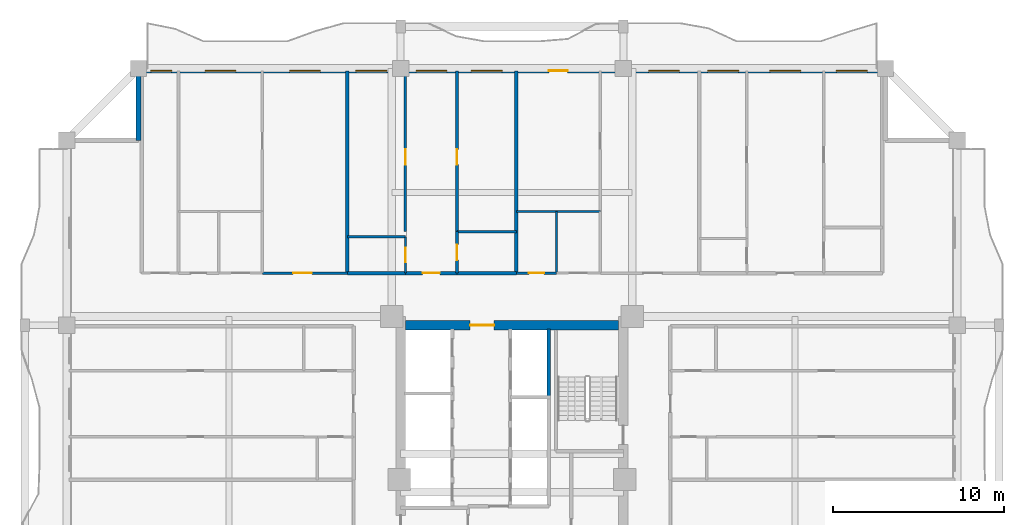
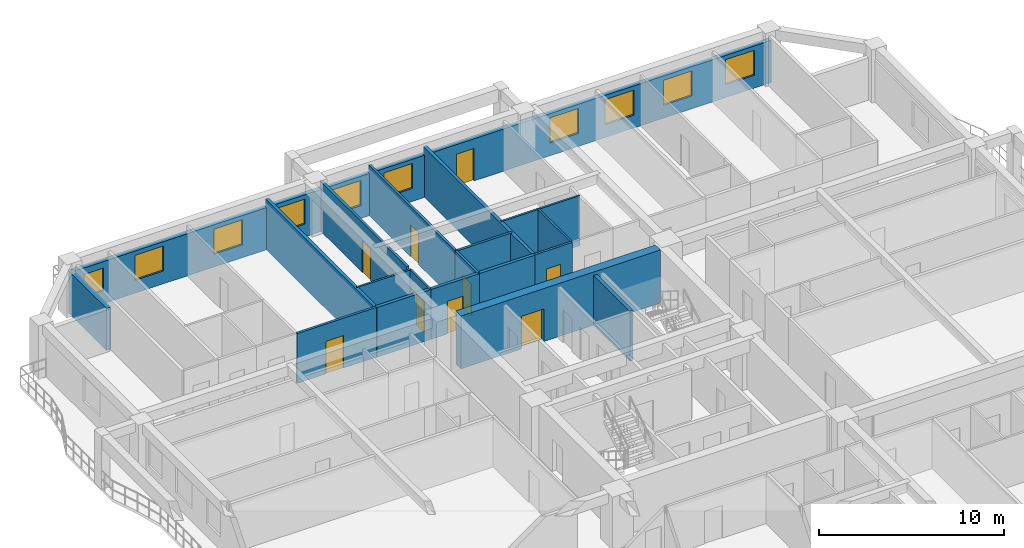
# One storey, part 6 of 17: 19 walls, 10 windows, 9 doors, 19 openings.
"""IFC4 building model written with IfcOpenShell, lengths in metres."""

import ifcopenshell
import ifcopenshell.guid

model = None  # the IFC model being written
_history = None  # IfcOwnerHistory: only IFC2X3 demands one
_inside = {}  # id of a spatial element -> (the spatial element, [elements in it])
_under = {}  # id of a project, library or spatial element -> (it, [spatial elements below it])
_declared = {}  # id of a project -> (the project, [libraries it declares])
_typed = {}  # id of a type object -> (the type object, [elements of that type])
_made_of = {}  # id of a material, layer set ... -> (it, [elements and type objects made of it])


def new_model(schema):
    """Start an empty IFC model of exactly this schema.

    Asked for "IFC4X3", IfcOpenShell would pick the latest addendum, in which some entities
    have other attributes; the version numbers below select the first issue.
    IFC2X3 requires an IfcOwnerHistory on every rooted entity: one is made here for all.
    """
    global model, _history
    if schema == "IFC4X3":
        model = ifcopenshell.file(schema_version=(4, 3, 0, 0))
    else:
        model = ifcopenshell.file(schema=schema)
    _inside.clear()
    _under.clear()
    _declared.clear()
    _typed.clear()
    _made_of.clear()
    _history = None
    if model.schema == "IFC2X3":
        org = make("IfcOrganization", Name="unknown")
        user = make(
            "IfcPersonAndOrganization",
            ThePerson=make("IfcPerson", FamilyName="unknown"),
            TheOrganization=org,
        )
        app = make(
            "IfcApplication",
            ApplicationDeveloper=org,
            Version="unknown",
            ApplicationFullName="unknown",
            ApplicationIdentifier="unknown",
        )
        _history = make(
            "IfcOwnerHistory",
            OwningUser=user,
            OwningApplication=app,
            ChangeAction="ADDED",
            CreationDate=0,
        )
    return model


def make(cls, **values):
    """One entity of the class cls with the attributes given. An attribute that is None is left unset."""
    return model.create_entity(
        cls, **{name: value for name, value in values.items() if value is not None}
    )


def rooted(cls, **values):
    """An entity with a GlobalId (a new one), such as an element, a storey or a relation."""
    return make(cls, GlobalId=ifcopenshell.guid.new(), OwnerHistory=_history, **values)


def si_unit(unit_type, name, prefix=None):
    """IfcSIUnit, for example si_unit("LENGTHUNIT", "METRE", prefix="MILLI")."""
    return make("IfcSIUnit", UnitType=unit_type, Prefix=prefix, Name=name)


def assignment(units):
    """IfcUnitAssignment: the units of a project."""
    return None if units is None else make("IfcUnitAssignment", Units=units)


def point(xyz):
    """IfcCartesianPoint."""
    return None if xyz is None else make("IfcCartesianPoint", Coordinates=xyz)


def direction(xyz):
    """IfcDirection."""
    return None if xyz is None else make("IfcDirection", DirectionRatios=xyz)


def frame(location, z_axis=None, x_axis=None):
    """IfcAxis2Placement3D, a coordinate frame: its origin and axes. An axis left out is left unset."""
    return make(
        "IfcAxis2Placement3D",
        Location=point(location),
        Axis=direction(z_axis),
        RefDirection=direction(x_axis),
    )


def frame_2d(location, x_axis=None):
    """IfcAxis2Placement2D, a coordinate frame in the plane: its origin and x axis."""
    return make(
        "IfcAxis2Placement2D", Location=point(location), RefDirection=direction(x_axis)
    )


def origin():
    """The frame at (0, 0, 0) with its axes left unset."""
    return frame((0.0, 0.0, 0.0))


def place(relative_to, where):
    """IfcLocalPlacement: puts the frame where relative to a parent placement (None: the world)."""
    return make(
        "IfcLocalPlacement", PlacementRelTo=relative_to, RelativePlacement=where
    )


def context(
    kind, dimensions, precision=None, world=None, true_north=None, identifier=None
):
    """IfcGeometricRepresentationContext, for example the 3D "Model" context."""
    return make(
        "IfcGeometricRepresentationContext",
        ContextIdentifier=identifier,
        ContextType=kind,
        CoordinateSpaceDimension=dimensions,
        Precision=precision,
        WorldCoordinateSystem=world,
        TrueNorth=true_north,
    )


def subcontext(parent, identifier, kind, view, scale=None):
    """IfcGeometricRepresentationSubContext, for example "Body" below "Model"."""
    return make(
        "IfcGeometricRepresentationSubContext",
        ContextIdentifier=identifier,
        ContextType=kind,
        ParentContext=parent,
        TargetScale=scale,
        TargetView=view,
    )


def project(units=None, contexts=None):
    """IfcProject with its units and contexts."""
    return rooted(
        "IfcProject",
        Name="project",
        RepresentationContexts=contexts,
        UnitsInContext=assignment(units),
    )


def spatial(cls, under=None, at=None, **own):
    """A site, building, storey or space (cls), placed at a placement, below another one or the project."""
    s = rooted(cls, ObjectPlacement=at, **own)
    if under is not None:
        _under.setdefault(under.id(), (under, []))[1].append(s)
    return s


def profile(cls, at=None, kind="AREA", **sizes):
    """A parametric profile (cls). Its sizes go by their IFC names, for example OverallWidth=200.0."""
    return make(cls, ProfileType=kind, Position=at, **sizes)


def rectangle(**sizes):
    """IfcRectangleProfileDef."""
    return profile("IfcRectangleProfileDef", **sizes)


def extrude(swept, where, along, depth):
    """IfcExtrudedAreaSolid: the profile swept, set in the frame where, extruded along a direction by depth."""
    return make(
        "IfcExtrudedAreaSolid",
        SweptArea=swept,
        Position=where,
        ExtrudedDirection=direction(along),
        Depth=depth,
    )


def shape(context_of_items, identifier, shape_type, items):
    """IfcShapeRepresentation: the items that make up one representation, for example the "Body"."""
    return make(
        "IfcShapeRepresentation",
        ContextOfItems=context_of_items,
        RepresentationIdentifier=identifier,
        RepresentationType=shape_type,
        Items=items,
    )


def source(mapping_origin, context_of_items, identifier, shape_type, items):
    """IfcRepresentationMap: a shape defined once, which mapped items show again and again."""
    return make(
        "IfcRepresentationMap",
        MappingOrigin=mapping_origin,
        MappedRepresentation=shape(context_of_items, identifier, shape_type, items),
    )


def transform(
    local_origin,
    x_axis=None,
    y_axis=None,
    z_axis=None,
    scale=None,
    scale2=None,
    scale3=None,
    uniform=True,
):
    """IfcCartesianTransformationOperator3D, or its non-uniform kind. x_axis, y_axis, z_axis: its Axis1, 2, 3."""
    if uniform:
        return make(
            "IfcCartesianTransformationOperator3D",
            Axis1=direction(x_axis),
            Axis2=direction(y_axis),
            LocalOrigin=point(local_origin),
            Scale=scale,
            Axis3=direction(z_axis),
        )
    return make(
        "IfcCartesianTransformationOperator3DnonUniform",
        Axis1=direction(x_axis),
        Axis2=direction(y_axis),
        LocalOrigin=point(local_origin),
        Scale=scale,
        Axis3=direction(z_axis),
        Scale2=scale2,
        Scale3=scale3,
    )


def mapped(mapping_source, mapping_target):
    """IfcMappedItem: shows the shape of a source again, moved by a transform."""
    return make(
        "IfcMappedItem", MappingSource=mapping_source, MappingTarget=mapping_target
    )


def material(Name=None, Category=None):
    """IfcMaterial."""
    return make("IfcMaterial", Name=Name, Category=Category)


def layer(
    of_material, thickness, ventilated=None, Name=None, Category=None, Priority=None
):
    """IfcMaterialLayer: one layer of a wall or slab, of a material (None: an air gap)."""
    return make(
        "IfcMaterialLayer",
        Material=of_material,
        LayerThickness=thickness,
        IsVentilated=ventilated,
        Name=Name,
        Category=Category,
        Priority=Priority,
    )


def layer_set(layers, Name=None):
    """IfcMaterialLayerSet."""
    return make("IfcMaterialLayerSet", MaterialLayers=layers, LayerSetName=Name)


def made_of(thing, what):
    """Note that an element or type object is made of a material, layer set ...; save() writes the relation."""
    if what is not None:
        _made_of.setdefault(what.id(), (what, []))[1].append(thing)
    return thing


def type_object(cls, material=None, **own):
    """A type object (cls), such as IfcWallType, which elements share."""
    return made_of(rooted(cls, **own), material)


def element(
    cls,
    number,
    at=None,
    inside=None,
    cuts=None,
    type_object=None,
    material=None,
    context=None,
    identifier="Body",
    shape_type=None,
    held_by="IfcProductDefinitionShape",
    body=None,
    shapes=None,
    **own,
):
    """One element of the class cls, such as IfcWall. Its Tag is "e" and its number.

    at: its placement. inside: the storey or other place that contains it. cuts: it is an
    opening in that element (IfcRelVoidsElement). A single representation is given by context,
    identifier, shape_type and body (its items); several are given by shapes. held_by: the class
    of the entity that holds the representations. save() writes the other relations.
    """
    e = rooted(cls, Tag="e%d" % number, ObjectPlacement=at, **own)
    if body is not None:
        shapes = [shape(context, identifier, shape_type, body)]
    if shapes is not None:
        e.Representation = make(held_by, Representations=shapes)
    if inside is not None:
        _inside.setdefault(inside.id(), (inside, []))[1].append(e)
    if cuts is not None:
        rooted(
            "IfcRelVoidsElement", RelatingBuildingElement=cuts, RelatedOpeningElement=e
        )
    if type_object is not None:
        _typed.setdefault(type_object.id(), (type_object, []))[1].append(e)
    return made_of(e, material)


def fill(opening, filler):
    """IfcRelFillsElement: the door or window that sits in an opening."""
    return rooted(
        "IfcRelFillsElement",
        RelatingOpeningElement=opening,
        RelatedBuildingElement=filler,
    )


def aggregate(whole, parts):
    """IfcRelAggregates: a whole, such as a stair, and the parts it consists of."""
    return rooted("IfcRelAggregates", RelatingObject=whole, RelatedObjects=parts)


def save(model, path):
    """Write the relations noted so far, then the file.

    IfcRelAggregates (storeys below a building ...), IfcRelContainedInSpatialStructure (elements
    in a storey), IfcRelDefinesByType, IfcRelAssociatesMaterial and IfcRelDeclares: one each for
    every whole, place, type object, material and project.
    """
    for whole, parts in _under.values():
        aggregate(whole, parts)
    for where, things in _inside.values():
        rooted(
            "IfcRelContainedInSpatialStructure",
            RelatedElements=things,
            RelatingStructure=where,
        )
    for kind, things in _typed.values():
        rooted("IfcRelDefinesByType", RelatedObjects=things, RelatingType=kind)
    for what, things in _made_of.values():
        rooted("IfcRelAssociatesMaterial", RelatedObjects=things, RelatingMaterial=what)
    for by, libraries in _declared.values():
        rooted("IfcRelDeclares", RelatingContext=by, RelatedDefinitions=libraries)
    model.write(path)


model = new_model("IFC4")

# Units and contexts
model_context = context("Model", 3, precision=1e-05, world=origin(), true_north=direction((0.0, 1.0)))
body_context = subcontext(model_context, "Body", "Model", "MODEL_VIEW")
ifc_project = project(units=[si_unit("LENGTHUNIT", "METRE"), si_unit("AREAUNIT", "SQUARE_METRE"), si_unit("VOLUMEUNIT", "CUBIC_METRE"), si_unit("PLANEANGLEUNIT", "RADIAN"), si_unit("MASSUNIT", "GRAM", prefix="KILO")], contexts=[model_context])

# Site, building, storey
site_placement = place(None, origin())
site = spatial("IfcSite", under=ifc_project, at=site_placement, CompositionType="ELEMENT")
building_placement = place(site_placement, origin())
building = spatial("IfcBuilding", under=site, at=building_placement, Name="Saelheon Loggia Tower", CompositionType="ELEMENT")
storey_placement = place(building_placement, frame((0.0, 0.0, 74.35009765625)))
storey = spatial("IfcBuildingStorey", under=building, at=storey_placement, Name="L23", CompositionType="ELEMENT", Elevation=74.35009765625)

# Wall, opening, door
ifc_material_1 = material(Name="Concrete C50/60", Category="concrete")
ifc_layer_1 = layer(ifc_material_1, 0.550048828125)
ifc_layer_set_1 = layer_set([ifc_layer_1], Name="Concrete C50/60")
wall_type_1 = type_object("IfcWallType", Name="Wall_CoreShear_550", PredefinedType="SHEAR", material=ifc_layer_set_1)
wall_1_placement = place(storey_placement, frame((31.77490234375, 36.0, 0.0), z_axis=(0.0, 0.0, 1.0), x_axis=(1.0, 0.0, 0.0)))
wall_1 = element("IfcWall", 1, at=wall_1_placement, inside=storey, type_object=wall_type_1, Name="L23 Core Shear Wall North", PredefinedType="SHEAR", context=body_context, shape_type="SweptSolid", body=[
    extrude(rectangle(XDim=12.4501953125, YDim=0.550048828125, at=frame_2d((6.22509765625, 0.0))), origin(), (0.0, 0.0, 1.0), 3.5),
])
opening_1_placement = place(wall_1_placement, frame((5.1748046875, 0.0, 0.0), z_axis=(0.0, 0.0, 1.0), x_axis=(-1.0, 0.0, 0.0)))
opening_1 = element("IfcOpeningElement", 2, at=opening_1_placement, cuts=wall_1, Name="Opening D-FD2L", PredefinedType="OPENING", context=body_context, shape_type="SweptSolid", body=[
    extrude(rectangle(XDim=1.39990234375, YDim=2.14990234375, at=frame_2d((0.699951171875, 1.074951171875))), frame((0.0, 0.287109375, 0.0), z_axis=(0.0, -1.0, 0.0), x_axis=(1.0, 0.0, 0.0)), (0.0, 0.0, 1.0), 0.573974609375),
])
ifc_material_2 = material(Name="Galvanised Steel Glazed Lobby Fire Door", Category="steel")
door_type_1 = type_object("IfcDoorType", Name="Door_Fire_FD60_1400", OperationType="NOTDEFINED", PredefinedType="DOOR", material=ifc_material_2)
shared_shape_1 = source(origin(), body_context, "Body", "SweptSolid", [
    extrude(rectangle(XDim=1.39990234375, YDim=2.14990234375, at=frame_2d((0.699951171875, 1.074951171875))), frame((0.0, 0.02490234375, 0.0), z_axis=(0.0, -1.0, 0.0), x_axis=(1.0, 0.0, 0.0)), (0.0, 0.0, 1.0), 0.050048828125),
])
door_1_placement = place(opening_1_placement, origin())
door_1 = element("IfcDoor", 3, at=door_1_placement, inside=storey, type_object=door_type_1, Name="L23 Passenger Lift Lobby Main Door", OperationType="SINGLE_SWING_RIGHT", OverallHeight=2.14990234375, OverallWidth=1.39990234375, PredefinedType="DOOR", context=body_context, shape_type="MappedRepresentation", body=[
    mapped(shared_shape_1, transform((0.0, 0.0, 0.0), scale=1.0)),
])
fill(opening_1, door_1)

# Wall, openings, windows, door
ifc_material_3 = material(Name="Architectural Precast Concrete C40/50", Category="concrete")
ifc_layer_2 = layer(ifc_material_3, 0.280029296875)
ifc_layer_set_2 = layer_set([ifc_layer_2], Name="Architectural Precast Concrete C40/50")
wall_type_2 = type_object("IfcWallType", Name="Wall_Ext_Loggia_280", PredefinedType="SOLIDWALL", material=ifc_layer_set_2)
wall_2_placement = place(storey_placement, frame((16.199951171875, 50.860107421875, 0.0), z_axis=(0.0, 0.0, 1.0), x_axis=(1.0, 0.0, 0.0)))
wall_2 = element("IfcWall", 4, at=wall_2_placement, inside=storey, type_object=wall_type_2, Name="L23 North Loggia Inner Wall", PredefinedType="SOLIDWALL", context=body_context, shape_type="SweptSolid", body=[
    extrude(rectangle(XDim=43.60009765625, YDim=0.280029296875, at=frame_2d((21.800048828125, 0.0))), origin(), (0.0, 0.0, 1.0), 2.77978515625),
])
opening_2_placement = place(wall_2_placement, frame((0.722412109375, 0.0, 0.85009765625)))
opening_2 = element("IfcOpeningElement", 5, at=opening_2_placement, cuts=wall_2, Name="Opening WN-03", PredefinedType="OPENING", context=body_context, shape_type="SweptSolid", body=[
    extrude(rectangle(XDim=1.199951171875, YDim=1.5, at=frame_2d((0.60009765625, 0.75))), frame((0.0, 0.152099609375, 0.0), z_axis=(0.0, -1.0, 0.0), x_axis=(1.0, 0.0, 0.0)), (0.0, 0.0, 1.0), 0.303955078125),
])
opening_3_placement = place(wall_2_placement, frame((3.8798828125, 0.0, 0.85009765625)))
opening_3 = element("IfcOpeningElement", 6, at=opening_3_placement, cuts=wall_2, Name="Opening WN-01", PredefinedType="OPENING", context=body_context, shape_type="SweptSolid", body=[
    extrude(rectangle(XDim=1.800048828125, YDim=1.64990234375, at=frame_2d((0.89990234375, 0.824951171875))), frame((0.0, 0.152099609375, 0.0), z_axis=(0.0, -1.0, 0.0), x_axis=(1.0, 0.0, 0.0)), (0.0, 0.0, 1.0), 0.303955078125),
])
opening_4_placement = place(wall_2_placement, frame((8.810791015625, 0.0, 0.85009765625)))
opening_4 = element("IfcOpeningElement", 7, at=opening_4_placement, cuts=wall_2, Name="Opening WN-01", PredefinedType="OPENING", context=body_context, shape_type="SweptSolid", body=[
    extrude(rectangle(XDim=1.800048828125, YDim=1.64990234375, at=frame_2d((0.89990234375, 0.824951171875))), frame((0.0, 0.152099609375, 0.0), z_axis=(0.0, -1.0, 0.0), x_axis=(1.0, 0.0, 0.0)), (0.0, 0.0, 1.0), 0.303955078125),
])
opening_5_placement = place(wall_2_placement, frame((12.688232421875, 0.0, 0.85009765625)))
opening_5 = element("IfcOpeningElement", 8, at=opening_5_placement, cuts=wall_2, Name="Opening WN-01", PredefinedType="OPENING", context=body_context, shape_type="SweptSolid", body=[
    extrude(rectangle(XDim=1.800048828125, YDim=1.64990234375, at=frame_2d((0.89990234375, 0.824951171875))), frame((0.0, 0.152099609375, 0.0), z_axis=(0.0, -1.0, 0.0), x_axis=(1.0, 0.0, 0.0)), (0.0, 0.0, 1.0), 0.303955078125),
])
opening_6_placement = place(wall_2_placement, frame((16.20166015625, 0.0, 0.85009765625)))
opening_6 = element("IfcOpeningElement", 9, at=opening_6_placement, cuts=wall_2, Name="Opening WN-01", PredefinedType="OPENING", context=body_context, shape_type="SweptSolid", body=[
    extrude(rectangle(XDim=1.800048828125, YDim=1.64990234375, at=frame_2d((0.89990234375, 0.824951171875))), frame((0.0, 0.152099609375, 0.0), z_axis=(0.0, -1.0, 0.0), x_axis=(1.0, 0.0, 0.0)), (0.0, 0.0, 1.0), 0.303955078125),
])
opening_7_placement = place(wall_2_placement, frame((19.4208984375, 0.0, 0.85009765625)))
opening_7 = element("IfcOpeningElement", 10, at=opening_7_placement, cuts=wall_2, Name="Opening WN-01", PredefinedType="OPENING", context=body_context, shape_type="SweptSolid", body=[
    extrude(rectangle(XDim=1.800048828125, YDim=1.64990234375, at=frame_2d((0.89990234375, 0.824951171875))), frame((0.0, 0.152099609375, 0.0), z_axis=(0.0, -1.0, 0.0), x_axis=(1.0, 0.0, 0.0)), (0.0, 0.0, 1.0), 0.303955078125),
])
opening_8_placement = place(wall_2_placement, frame((23.953125, 0.0, 0.0)))
opening_8 = element("IfcOpeningElement", 11, at=opening_8_placement, cuts=wall_2, Name="Opening TD1", PredefinedType="OPENING", context=body_context, shape_type="SweptSolid", body=[
    extrude(rectangle(XDim=1.10009765625, YDim=2.14990234375, at=frame_2d((0.550048828125, 1.074951171875))), frame((0.0, 0.152099609375, 0.0), z_axis=(0.0, -1.0, 0.0), x_axis=(1.0, 0.0, 0.0)), (0.0, 0.0, 1.0), 0.303955078125),
])
opening_9_placement = place(wall_2_placement, frame((29.77587890625, 0.0, 0.85009765625)))
opening_9 = element("IfcOpeningElement", 12, at=opening_9_placement, cuts=wall_2, Name="Opening WN-01", PredefinedType="OPENING", context=body_context, shape_type="SweptSolid", body=[
    extrude(rectangle(XDim=1.800048828125, YDim=1.64990234375, at=frame_2d((0.89990234375, 0.824951171875))), frame((0.0, 0.152099609375, 0.0), z_axis=(0.0, -1.0, 0.0), x_axis=(1.0, 0.0, 0.0)), (0.0, 0.0, 1.0), 0.303955078125),
])
opening_10_placement = place(wall_2_placement, frame((33.2255859375, 0.0, 0.85009765625)))
opening_10 = element("IfcOpeningElement", 13, at=opening_10_placement, cuts=wall_2, Name="Opening WN-01", PredefinedType="OPENING", context=body_context, shape_type="SweptSolid", body=[
    extrude(rectangle(XDim=1.800048828125, YDim=1.64990234375, at=frame_2d((0.89990234375, 0.824951171875))), frame((0.0, 0.152099609375, 0.0), z_axis=(0.0, -1.0, 0.0), x_axis=(1.0, 0.0, 0.0)), (0.0, 0.0, 1.0), 0.303955078125),
])
opening_11_placement = place(wall_2_placement, frame((36.85791015625, 0.0, 0.85009765625)))
opening_11 = element("IfcOpeningElement", 14, at=opening_11_placement, cuts=wall_2, Name="Opening WN-01", PredefinedType="OPENING", context=body_context, shape_type="SweptSolid", body=[
    extrude(rectangle(XDim=1.800048828125, YDim=1.64990234375, at=frame_2d((0.89990234375, 0.824951171875))), frame((0.0, 0.152099609375, 0.0), z_axis=(0.0, -1.0, 0.0), x_axis=(1.0, 0.0, 0.0)), (0.0, 0.0, 1.0), 0.303955078125),
])
opening_12_placement = place(wall_2_placement, frame((40.7431640625, 0.0, 0.85009765625)))
opening_12 = element("IfcOpeningElement", 15, at=opening_12_placement, cuts=wall_2, Name="Opening WN-01", PredefinedType="OPENING", context=body_context, shape_type="SweptSolid", body=[
    extrude(rectangle(XDim=1.800048828125, YDim=1.64990234375, at=frame_2d((0.89990234375, 0.824951171875))), frame((0.0, 0.152099609375, 0.0), z_axis=(0.0, -1.0, 0.0), x_axis=(1.0, 0.0, 0.0)), (0.0, 0.0, 1.0), 0.303955078125),
])
ifc_material_4 = material(Name="Thermal-Break Aluminium and Triple Low-E Glass", Category="aluminium")
window_type_1 = type_object("IfcWindowType", Name="Win_Dwelling_1800x1650", PartitioningType="SINGLE_PANEL", PredefinedType="WINDOW", material=ifc_material_4)
shared_shape_2 = source(origin(), body_context, "Body", "SweptSolid", [
    extrude(rectangle(XDim=1.800048828125, YDim=1.64990234375, at=frame_2d((0.89990234375, 0.824951171875))), frame((0.0, 0.030029296875, 0.0), z_axis=(0.0, -1.0, 0.0), x_axis=(1.0, 0.0, 0.0)), (0.0, 0.0, 1.0), 0.06005859375),
])
window_1_placement = place(opening_3_placement, origin())
window_1 = element("IfcWindow", 16, at=window_1_placement, inside=storey, type_object=window_type_1, Name="L23 N Dwelling Window 2", OverallHeight=1.64990234375, OverallWidth=1.800048828125, PartitioningType="SINGLE_PANEL", PredefinedType="WINDOW", context=body_context, shape_type="MappedRepresentation", body=[
    mapped(shared_shape_2, transform((0.0, 0.0, 0.0), scale=1.0)),
])
fill(opening_3, window_1)
window_2_placement = place(opening_4_placement, origin())
window_2 = element("IfcWindow", 17, at=window_2_placement, inside=storey, type_object=window_type_1, Name="L23 N Dwelling Window 3", OverallHeight=1.64990234375, OverallWidth=1.800048828125, PartitioningType="SINGLE_PANEL", PredefinedType="WINDOW", context=body_context, shape_type="MappedRepresentation", body=[
    mapped(shared_shape_2, transform((0.0, 0.0, 0.0), scale=1.0)),
])
fill(opening_4, window_2)
window_3_placement = place(opening_5_placement, origin())
window_3 = element("IfcWindow", 18, at=window_3_placement, inside=storey, type_object=window_type_1, Name="L23 N Dwelling Window 4", OverallHeight=1.64990234375, OverallWidth=1.800048828125, PartitioningType="SINGLE_PANEL", PredefinedType="WINDOW", context=body_context, shape_type="MappedRepresentation", body=[
    mapped(shared_shape_2, transform((0.0, 0.0, 0.0), scale=1.0)),
])
fill(opening_5, window_3)
window_4_placement = place(opening_6_placement, origin())
window_4 = element("IfcWindow", 19, at=window_4_placement, inside=storey, type_object=window_type_1, Name="L23 N Dwelling Window 5", OverallHeight=1.64990234375, OverallWidth=1.800048828125, PartitioningType="SINGLE_PANEL", PredefinedType="WINDOW", context=body_context, shape_type="MappedRepresentation", body=[
    mapped(shared_shape_2, transform((0.0, 0.0, 0.0), scale=1.0)),
])
fill(opening_6, window_4)
window_5_placement = place(opening_7_placement, origin())
window_5 = element("IfcWindow", 20, at=window_5_placement, inside=storey, type_object=window_type_1, Name="L23 N Dwelling Window 6", OverallHeight=1.64990234375, OverallWidth=1.800048828125, PartitioningType="SINGLE_PANEL", PredefinedType="WINDOW", context=body_context, shape_type="MappedRepresentation", body=[
    mapped(shared_shape_2, transform((0.0, 0.0, 0.0), scale=1.0)),
])
fill(opening_7, window_5)
window_6_placement = place(opening_9_placement, origin())
window_6 = element("IfcWindow", 21, at=window_6_placement, inside=storey, type_object=window_type_1, Name="L23 N Dwelling Window 8", OverallHeight=1.64990234375, OverallWidth=1.800048828125, PartitioningType="SINGLE_PANEL", PredefinedType="WINDOW", context=body_context, shape_type="MappedRepresentation", body=[
    mapped(shared_shape_2, transform((0.0, 0.0, 0.0), scale=1.0)),
])
fill(opening_9, window_6)
window_7_placement = place(opening_10_placement, origin())
window_7 = element("IfcWindow", 22, at=window_7_placement, inside=storey, type_object=window_type_1, Name="L23 N Dwelling Window 9", OverallHeight=1.64990234375, OverallWidth=1.800048828125, PartitioningType="SINGLE_PANEL", PredefinedType="WINDOW", context=body_context, shape_type="MappedRepresentation", body=[
    mapped(shared_shape_2, transform((0.0, 0.0, 0.0), scale=1.0)),
])
fill(opening_10, window_7)
window_8_placement = place(opening_11_placement, origin())
window_8 = element("IfcWindow", 23, at=window_8_placement, inside=storey, type_object=window_type_1, Name="L23 N Dwelling Window 10", OverallHeight=1.64990234375, OverallWidth=1.800048828125, PartitioningType="SINGLE_PANEL", PredefinedType="WINDOW", context=body_context, shape_type="MappedRepresentation", body=[
    mapped(shared_shape_2, transform((0.0, 0.0, 0.0), scale=1.0)),
])
fill(opening_11, window_8)
window_9_placement = place(opening_12_placement, origin())
window_9 = element("IfcWindow", 24, at=window_9_placement, inside=storey, type_object=window_type_1, Name="L23 N Dwelling Window 11", OverallHeight=1.64990234375, OverallWidth=1.800048828125, PartitioningType="SINGLE_PANEL", PredefinedType="WINDOW", context=body_context, shape_type="MappedRepresentation", body=[
    mapped(shared_shape_2, transform((0.0, 0.0, 0.0), scale=1.0)),
])
fill(opening_12, window_9)
window_type_2 = type_object("IfcWindowType", Name="Win_Bedroom_1200x1500", PartitioningType="SINGLE_PANEL", PredefinedType="WINDOW", material=ifc_material_4)
shared_shape_3 = source(origin(), body_context, "Body", "SweptSolid", [
    extrude(rectangle(XDim=1.199951171875, YDim=1.5, at=frame_2d((0.60009765625, 0.75))), frame((0.0, 0.030029296875, 0.0), z_axis=(0.0, -1.0, 0.0), x_axis=(1.0, 0.0, 0.0)), (0.0, 0.0, 1.0), 0.06005859375),
])
window_10_placement = place(opening_2_placement, origin())
window_10 = element("IfcWindow", 25, at=window_10_placement, inside=storey, type_object=window_type_2, Name="L23 N Dwelling Window 1", OverallHeight=1.5, OverallWidth=1.199951171875, PartitioningType="SINGLE_PANEL", PredefinedType="WINDOW", context=body_context, shape_type="MappedRepresentation", body=[
    mapped(shared_shape_3, transform((0.0, 0.0, 0.0), scale=1.0)),
])
fill(opening_2, window_10)
ifc_material_5 = material(Name="Thermal-Break Aluminium Glazed Door", Category="aluminium")
door_type_2 = type_object("IfcDoorType", Name="Door_Terrace_TD1", OperationType="NOTDEFINED", PredefinedType="DOOR", material=ifc_material_5)
shared_shape_4 = source(origin(), body_context, "Body", "SweptSolid", [
    extrude(rectangle(XDim=1.10009765625, YDim=2.14990234375, at=frame_2d((0.550048828125, 1.074951171875))), frame((0.0, 0.02490234375, 0.0), z_axis=(0.0, -1.0, 0.0), x_axis=(1.0, 0.0, 0.0)), (0.0, 0.0, 1.0), 0.050048828125),
])
door_2_placement = place(opening_8_placement, origin())
door_2 = element("IfcDoor", 26, at=door_2_placement, inside=storey, type_object=door_type_2, Name="L23 N Loggia Access Door", OperationType="SINGLE_SWING_LEFT", OverallHeight=2.14990234375, OverallWidth=1.10009765625, PredefinedType="DOOR", context=body_context, shape_type="MappedRepresentation", body=[
    mapped(shared_shape_4, transform((0.0, 0.0, 0.0), scale=1.0)),
])
fill(opening_8, door_2)

# Wall
wall_3_placement = place(storey_placement, frame((16.199951171875, 46.800048828125, 0.0), z_axis=(0.0, 0.0, 1.0), x_axis=(0.0, 1.0, 0.0)))
element("IfcWall", 27, at=wall_3_placement, inside=storey, type_object=wall_type_2, Name="L23 Corner Notch Precast Wall NW1", PredefinedType="SOLIDWALL", context=body_context, shape_type="SweptSolid", body=[
    extrude(rectangle(XDim=4.119873046875, YDim=0.280029296875, at=frame_2d((2.06005859375, 0.0))), origin(), (0.0, 0.0, 1.0), 2.77978515625),
])

# Wall, opening, door
ifc_material_6 = material(Name="Lightweight Autoclaved Aerated Concrete Block and Acoustic Gypsum", Category="concrete")
ifc_layer_3 = layer(ifc_material_6, 0.14990234375)
ifc_layer_set_3 = layer_set([ifc_layer_3], Name="Lightweight Autoclaved Aerated Concrete Block and Acoustic Gypsum")
wall_type_3 = type_object("IfcWallType", Name="Wall_Part_150", PredefinedType="PARTITIONING", material=ifc_layer_set_3)
wall_4_placement = place(storey_placement, frame((23.429931640625, 39.050048828125, 0.0), z_axis=(0.0, 0.0, 1.0), x_axis=(1.0, 0.0, 0.0)))
wall_4 = element("IfcWall", 28, at=wall_4_placement, inside=storey, type_object=wall_type_3, Name="L23 N Partition V11", PredefinedType="PARTITIONING", context=body_context, shape_type="SweptSolid", body=[
    extrude(rectangle(XDim=4.961669921875, YDim=0.14990234375, at=frame_2d((2.48095703125, 0.0))), origin(), (0.0, 0.0, 1.0), 3.289794921875),
])
opening_13_placement = place(wall_4_placement, frame((1.79150390625, 0.0, 0.0)))
opening_13 = element("IfcOpeningElement", 29, at=opening_13_placement, cuts=wall_4, Name="Opening D-FD2", PredefinedType="OPENING", context=body_context, shape_type="SweptSolid", body=[
    extrude(rectangle(XDim=1.10009765625, YDim=2.14990234375, at=frame_2d((0.550048828125, 1.074951171875))), frame((0.0, 0.0869140625, 0.0), z_axis=(0.0, -1.0, 0.0), x_axis=(1.0, 0.0, 0.0)), (0.0, 0.0, 1.0), 0.173828125),
])
ifc_material_7 = material(Name="Galvanised Steel Fire Door", Category="steel")
door_type_3 = type_object("IfcDoorType", Name="Door_Fire_FD60_1100", OperationType="NOTDEFINED", PredefinedType="DOOR", material=ifc_material_7)
door_3_placement = place(opening_13_placement, origin())
door_3 = element("IfcDoor", 30, at=door_3_placement, inside=storey, type_object=door_type_3, Name="L23 Public Housing Childcare Playroom Door A", OperationType="SINGLE_SWING_RIGHT", OverallHeight=2.14990234375, OverallWidth=1.10009765625, PredefinedType="DOOR", context=body_context, shape_type="MappedRepresentation", body=[
    mapped(shared_shape_4, transform((0.0, 0.0, 0.0), scale=1.0)),
])
fill(opening_13, door_3)

# Wall
wall_5_placement = place(storey_placement, frame((34.788330078125, 41.469970703125, 0.0), z_axis=(0.0, 0.0, 1.0), x_axis=(1.0, 0.0, 0.0)))
element("IfcWall", 31, at=wall_5_placement, inside=storey, type_object=wall_type_3, Name="L23 N Partition V17", PredefinedType="PARTITIONING", context=body_context, shape_type="SweptSolid", body=[
    extrude(rectangle(XDim=3.46484375, YDim=0.14990234375, at=frame_2d((1.732421875, 0.0))), origin(), (0.0, 0.0, 1.0), 3.289794921875),
])

# Wall, opening, door
wall_6_placement = place(storey_placement, frame((31.780029296875, 41.469970703125, 0.0), z_axis=(0.0, 0.0, 1.0), x_axis=(0.0, 1.0, 0.0)))
wall_6 = element("IfcWall", 32, at=wall_6_placement, inside=storey, type_object=wall_type_3, Name="L23 N Partition U19", PredefinedType="PARTITIONING", context=body_context, shape_type="SweptSolid", body=[
    extrude(rectangle(XDim=9.380126953125, YDim=0.14990234375, at=frame_2d((4.68994140625, 0.0))), origin(), (0.0, 0.0, 1.0), 3.289794921875),
])
opening_14_placement = place(wall_6_placement, frame((3.90673828125, 0.0, 0.0)))
opening_14 = element("IfcOpeningElement", 33, at=opening_14_placement, cuts=wall_6, Name="Opening D-IN2", PredefinedType="OPENING", context=body_context, shape_type="SweptSolid", body=[
    extrude(rectangle(XDim=0.89990234375, YDim=2.10009765625, at=frame_2d((0.449951171875, 1.050048828125))), frame((0.0, 0.0869140625, 0.0), z_axis=(0.0, -1.0, 0.0), x_axis=(1.0, 0.0, 0.0)), (0.0, 0.0, 1.0), 0.173828125),
])
ifc_material_8 = material(Name="Engineered Oak Flush Door", Category="timber")
door_type_4 = type_object("IfcDoorType", Name="Door_Int_900", OperationType="NOTDEFINED", PredefinedType="DOOR", material=ifc_material_8)
shared_shape_5 = source(origin(), body_context, "Body", "SweptSolid", [
    extrude(rectangle(XDim=0.89990234375, YDim=2.10009765625, at=frame_2d((0.449951171875, 1.050048828125))), frame((0.0, 0.02490234375, 0.0), z_axis=(0.0, -1.0, 0.0), x_axis=(1.0, 0.0, 0.0)), (0.0, 0.0, 1.0), 0.050048828125),
])
door_4_placement = place(opening_14_placement, origin())
door_4 = element("IfcDoor", 34, at=door_4_placement, inside=storey, type_object=door_type_4, Name="Unit U01 Kitchen Door", OperationType="SINGLE_SWING_LEFT", OverallHeight=2.10009765625, OverallWidth=0.89990234375, PredefinedType="DOOR", context=body_context, shape_type="MappedRepresentation", body=[
    mapped(shared_shape_5, transform((0.0, 0.0, 0.0), scale=1.0)),
])
fill(opening_14, door_4)

wall_7_placement = place(storey_placement, frame((34.788330078125, 39.050048828125, 0.0), z_axis=(0.0, 0.0, 1.0), x_axis=(0.0, 1.0, 0.0)))
wall_7 = element("IfcWall", 35, at=wall_7_placement, inside=storey, type_object=wall_type_3, Name="L23 N Partition U20", PredefinedType="PARTITIONING", context=body_context, shape_type="SweptSolid", body=[
    extrude(rectangle(XDim=2.419921875, YDim=0.14990234375, at=frame_2d((1.2099609375, 0.0))), origin(), (0.0, 0.0, 1.0), 3.289794921875),
])
opening_15_placement = place(wall_7_placement, frame((0.760009765625, 0.0, 0.0)))
opening_15 = element("IfcOpeningElement", 36, at=opening_15_placement, cuts=wall_7, Name="Opening D-IN2", PredefinedType="OPENING", context=body_context, shape_type="SweptSolid", body=[
    extrude(rectangle(XDim=0.89990234375, YDim=2.10009765625, at=frame_2d((0.449951171875, 1.050048828125))), frame((0.0, 0.0869140625, 0.0), z_axis=(0.0, -1.0, 0.0), x_axis=(1.0, 0.0, 0.0)), (0.0, 0.0, 1.0), 0.173828125),
])
door_5_placement = place(opening_15_placement, origin())
door_5 = element("IfcDoor", 37, at=door_5_placement, inside=storey, type_object=door_type_4, Name="Unit U01 Dressing Closet Door", OperationType="SINGLE_SWING_RIGHT", OverallHeight=2.10009765625, OverallWidth=0.89990234375, PredefinedType="DOOR", context=body_context, shape_type="MappedRepresentation", body=[
    mapped(shared_shape_5, transform((0.0, 0.0, 0.0), scale=1.0)),
])
fill(opening_15, door_5)

wall_8_placement = place(storey_placement, frame((34.788330078125, 41.469970703125, 0.0), z_axis=(0.0, 0.0, 1.0), x_axis=(0.0, 1.0, 0.0)))
wall_8 = element("IfcWall", 38, at=wall_8_placement, inside=storey, type_object=wall_type_3, Name="L23 N Partition U21", PredefinedType="PARTITIONING", context=body_context, shape_type="SweptSolid", body=[
    extrude(rectangle(XDim=9.380126953125, YDim=0.14990234375, at=frame_2d((4.68994140625, 0.0))), origin(), (0.0, 0.0, 1.0), 3.289794921875),
])
opening_16_placement = place(wall_8_placement, frame((3.90673828125, 0.0, 0.0)))
opening_16 = element("IfcOpeningElement", 39, at=opening_16_placement, cuts=wall_8, Name="Opening D-IN2", PredefinedType="OPENING", context=body_context, shape_type="SweptSolid", body=[
    extrude(rectangle(XDim=0.89990234375, YDim=2.10009765625, at=frame_2d((0.449951171875, 1.050048828125))), frame((0.0, 0.0869140625, 0.0), z_axis=(0.0, -1.0, 0.0), x_axis=(1.0, 0.0, 0.0)), (0.0, 0.0, 1.0), 0.173828125),
])
door_6_placement = place(opening_16_placement, origin())
door_6 = element("IfcDoor", 40, at=door_6_placement, inside=storey, type_object=door_type_4, Name="Unit U01 Bedroom 1 Door", OperationType="SINGLE_SWING_LEFT", OverallHeight=2.10009765625, OverallWidth=0.89990234375, PredefinedType="DOOR", context=body_context, shape_type="MappedRepresentation", body=[
    mapped(shared_shape_5, transform((0.0, 0.0, 0.0), scale=1.0)),
])
fill(opening_16, door_6)

wall_9_placement = place(storey_placement, frame((38.253173828125, 39.050048828125, 0.0), z_axis=(0.0, 0.0, 1.0), x_axis=(1.0, 0.0, 0.0)))
wall_9 = element("IfcWall", 41, at=wall_9_placement, inside=storey, type_object=wall_type_3, Name="L23 N Partition V27", PredefinedType="PARTITIONING", context=body_context, shape_type="SweptSolid", body=[
    extrude(rectangle(XDim=2.35009765625, YDim=0.14990234375, at=frame_2d((1.175048828125, 0.0))), origin(), (0.0, 0.0, 1.0), 3.289794921875),
])
opening_17_placement = place(wall_9_placement, frame((0.72509765625, 0.0, 0.0)))
opening_17 = element("IfcOpeningElement", 42, at=opening_17_placement, cuts=wall_9, Name="Opening D-IN2", PredefinedType="OPENING", context=body_context, shape_type="SweptSolid", body=[
    extrude(rectangle(XDim=0.89990234375, YDim=2.10009765625, at=frame_2d((0.449951171875, 1.050048828125))), frame((0.0, 0.0869140625, 0.0), z_axis=(0.0, -1.0, 0.0), x_axis=(1.0, 0.0, 0.0)), (0.0, 0.0, 1.0), 0.173828125),
])
door_7_placement = place(opening_17_placement, origin())
door_7 = element("IfcDoor", 43, at=door_7_placement, inside=storey, type_object=door_type_4, Name="L23 Community Pantry Door", OperationType="SINGLE_SWING_LEFT", OverallHeight=2.10009765625, OverallWidth=0.89990234375, PredefinedType="DOOR", context=body_context, shape_type="MappedRepresentation", body=[
    mapped(shared_shape_5, transform((0.0, 0.0, 0.0), scale=1.0)),
])
fill(opening_17, door_7)

# Walls
ifc_material_9 = material(Name="Double Acoustic Stud and Fireboard Partition", Category="gypsum")
ifc_layer_4 = layer(ifc_material_9, 0.199951171875)
ifc_layer_set_4 = layer_set([ifc_layer_4], Name="Double Acoustic Stud and Fireboard Partition")
wall_type_4 = type_object("IfcWallType", Name="Wall_Party_200", PredefinedType="PARTITIONING", material=ifc_layer_set_4)
wall_10_placement = place(storey_placement, frame((28.3916015625, 39.050048828125, 0.0), z_axis=(0.0, 0.0, 1.0), x_axis=(0.0, 1.0, 0.0)))
element("IfcWall", 44, at=wall_10_placement, inside=storey, type_object=wall_type_4, Name="L23 N Partition U12", PredefinedType="PARTITIONING", context=body_context, shape_type="SweptSolid", body=[
    extrude(rectangle(XDim=11.800048828125, YDim=0.199951171875, at=frame_2d((5.89990234375, 0.0))), origin(), (0.0, 0.0, 1.0), 3.289794921875),
])
wall_11_placement = place(storey_placement, frame((28.3916015625, 39.050048828125, 0.0), z_axis=(0.0, 0.0, 1.0), x_axis=(1.0, 0.0, 0.0)))
element("IfcWall", 45, at=wall_11_placement, inside=storey, type_object=wall_type_4, Name="L23 N Partition V13", PredefinedType="PARTITIONING", context=body_context, shape_type="SweptSolid", body=[
    extrude(rectangle(XDim=3.388427734375, YDim=0.199951171875, at=frame_2d((1.6943359375, 0.0))), origin(), (0.0, 0.0, 1.0), 3.289794921875),
])

# Wall, opening, door
wall_12_placement = place(storey_placement, frame((31.780029296875, 39.050048828125, 0.0), z_axis=(0.0, 0.0, 1.0), x_axis=(1.0, 0.0, 0.0)))
wall_12 = element("IfcWall", 46, at=wall_12_placement, inside=storey, type_object=wall_type_4, Name="L23 N Partition V14", PredefinedType="PARTITIONING", context=body_context, shape_type="SweptSolid", body=[
    extrude(rectangle(XDim=3.00830078125, YDim=0.199951171875, at=frame_2d((1.504150390625, 0.0))), origin(), (0.0, 0.0, 1.0), 3.289794921875),
])
opening_18_placement = place(wall_12_placement, frame((1.004150390625, 0.0, 0.0)))
opening_18 = element("IfcOpeningElement", 47, at=opening_18_placement, cuts=wall_12, Name="Opening D-FD1", PredefinedType="OPENING", context=body_context, shape_type="SweptSolid", body=[
    extrude(rectangle(XDim=1.0, YDim=2.14990234375, at=frame_2d((0.5, 1.074951171875))), frame((0.0, 0.112060546875, 0.0), z_axis=(0.0, -1.0, 0.0), x_axis=(1.0, 0.0, 0.0)), (0.0, 0.0, 1.0), 0.223876953125),
])
ifc_material_10 = material(Name="Fire-Rated Engineered Timber Entrance Door", Category="wood")
door_type_5 = type_object("IfcDoorType", Name="Door_Flat_FD30S", OperationType="NOTDEFINED", PredefinedType="DOOR", material=ifc_material_10)
shared_shape_6 = source(origin(), body_context, "Body", "SweptSolid", [
    extrude(rectangle(XDim=1.0, YDim=2.14990234375, at=frame_2d((0.5, 1.074951171875))), frame((0.0, 0.02490234375, 0.0), z_axis=(0.0, -1.0, 0.0), x_axis=(1.0, 0.0, 0.0)), (0.0, 0.0, 1.0), 0.050048828125),
])
door_8_placement = place(opening_18_placement, origin())
door_8 = element("IfcDoor", 48, at=door_8_placement, inside=storey, type_object=door_type_5, Name="Unit U01 Entrance Door", OperationType="SINGLE_SWING_LEFT", OverallHeight=2.14990234375, OverallWidth=1.0, PredefinedType="DOOR", context=body_context, shape_type="MappedRepresentation", body=[
    mapped(shared_shape_6, transform((0.0, 0.0, 0.0), scale=1.0)),
])
fill(opening_18, door_8)

# Walls
wall_13_placement = place(storey_placement, frame((34.788330078125, 39.050048828125, 0.0), z_axis=(0.0, 0.0, 1.0), x_axis=(1.0, 0.0, 0.0)))
element("IfcWall", 49, at=wall_13_placement, inside=storey, type_object=wall_type_4, Name="L23 N Partition V15", PredefinedType="PARTITIONING", context=body_context, shape_type="SweptSolid", body=[
    extrude(rectangle(XDim=3.46484375, YDim=0.199951171875, at=frame_2d((1.732421875, 0.0))), origin(), (0.0, 0.0, 1.0), 3.289794921875),
])
wall_14_placement = place(storey_placement, frame((38.253173828125, 39.050048828125, 0.0), z_axis=(0.0, 0.0, 1.0), x_axis=(0.0, 1.0, 0.0)))
element("IfcWall", 50, at=wall_14_placement, inside=storey, type_object=wall_type_4, Name="L23 N Partition U22", PredefinedType="PARTITIONING", context=body_context, shape_type="SweptSolid", body=[
    extrude(rectangle(XDim=11.800048828125, YDim=0.199951171875, at=frame_2d((5.89990234375, 0.0))), origin(), (0.0, 0.0, 1.0), 3.289794921875),
])
ifc_material_11 = material(Name="Concrete C40/50", Category="concrete")
ifc_layer_5 = layer(ifc_material_11, 0.199951171875)
ifc_layer_set_5 = layer_set([ifc_layer_5], Name="Concrete C40/50")
wall_type_5 = type_object("IfcWallType", Name="Wall_Shaft_200", PredefinedType="PARTITIONING", material=ifc_layer_set_5)
wall_15_placement = place(storey_placement, frame((40.14990234375, 31.800048828125, 0.0), z_axis=(0.0, 0.0, 1.0), x_axis=(0.0, 1.0, 0.0)))
element("IfcWall", 51, at=wall_15_placement, inside=storey, type_object=wall_type_5, Name="L23 East High-Rise Hoistway East Wall", PredefinedType="PARTITIONING", context=body_context, shape_type="SweptSolid", body=[
    extrude(rectangle(XDim=3.97998046875, YDim=0.199951171875, at=frame_2d((1.989990234375, 0.0))), origin(), (0.0, 0.0, 1.0), 3.289794921875),
])
ifc_material_12 = material(Name="Moisture-Resistant Cement Board Partition", Category="gypsum")
ifc_layer_6 = layer(ifc_material_12, 0.1201171875)
ifc_layer_set_6 = layer_set([ifc_layer_6], Name="Moisture-Resistant Cement Board Partition")
wall_type_6 = type_object("IfcWallType", Name="Wall_WetPart_120", PredefinedType="PARTITIONING", material=ifc_layer_set_6)
wall_16_placement = place(storey_placement, frame((28.3916015625, 41.169921875, 0.0), z_axis=(0.0, 0.0, 1.0), x_axis=(1.0, 0.0, 0.0)))
element("IfcWall", 52, at=wall_16_placement, inside=storey, type_object=wall_type_6, Name="L23 N Partition V16", PredefinedType="PARTITIONING", context=body_context, shape_type="SweptSolid", body=[
    extrude(rectangle(XDim=3.388427734375, YDim=0.1201171875, at=frame_2d((1.6943359375, 0.0))), origin(), (0.0, 0.0, 1.0), 3.289794921875),
])

# Wall, opening, door
wall_17_placement = place(storey_placement, frame((31.780029296875, 39.050048828125, 0.0), z_axis=(0.0, 0.0, 1.0), x_axis=(0.0, 1.0, 0.0)))
wall_17 = element("IfcWall", 53, at=wall_17_placement, inside=storey, type_object=wall_type_6, Name="L23 N Partition U18", PredefinedType="PARTITIONING", context=body_context, shape_type="SweptSolid", body=[
    extrude(rectangle(XDim=2.119873046875, YDim=0.1201171875, at=frame_2d((1.06005859375, 0.0))), origin(), (0.0, 0.0, 1.0), 3.289794921875),
])
opening_19_placement = place(wall_17_placement, frame((0.635009765625, 0.0, 0.0)))
opening_19 = element("IfcOpeningElement", 54, at=opening_19_placement, cuts=wall_17, Name="Opening D-BT1", PredefinedType="OPENING", context=body_context, shape_type="SweptSolid", body=[
    extrude(rectangle(XDim=0.85009765625, YDim=2.050048828125, at=frame_2d((0.425048828125, 1.02490234375))), frame((0.0, 0.072021484375, 0.0), z_axis=(0.0, -1.0, 0.0), x_axis=(1.0, 0.0, 0.0)), (0.0, 0.0, 1.0), 0.14404296875),
])
ifc_material_13 = material(Name="Moisture-Resistant Laminate Timber Door", Category="wood")
door_type_6 = type_object("IfcDoorType", Name="Door_Bath_850", OperationType="NOTDEFINED", PredefinedType="DOOR", material=ifc_material_13)
shared_shape_7 = source(origin(), body_context, "Body", "SweptSolid", [
    extrude(rectangle(XDim=0.85009765625, YDim=2.050048828125, at=frame_2d((0.425048828125, 1.02490234375))), frame((0.0, 0.02490234375, 0.0), z_axis=(0.0, -1.0, 0.0), x_axis=(1.0, 0.0, 0.0)), (0.0, 0.0, 1.0), 0.050048828125),
])
door_9_placement = place(opening_19_placement, origin())
door_9 = element("IfcDoor", 55, at=door_9_placement, inside=storey, type_object=door_type_6, Name="Unit U01 Bathroom Door", OperationType="SINGLE_SWING_RIGHT", OverallHeight=2.050048828125, OverallWidth=0.85009765625, PredefinedType="DOOR", context=body_context, shape_type="MappedRepresentation", body=[
    mapped(shared_shape_7, transform((0.0, 0.0, 0.0), scale=1.0)),
])
fill(opening_19, door_9)

# Walls
wall_18_placement = place(storey_placement, frame((40.603271484375, 39.050048828125, 0.0), z_axis=(0.0, 0.0, 1.0), x_axis=(0.0, 1.0, 0.0)))
element("IfcWall", 56, at=wall_18_placement, inside=storey, type_object=wall_type_6, Name="L23 N Partition U23", PredefinedType="PARTITIONING", context=body_context, shape_type="SweptSolid", body=[
    extrude(rectangle(XDim=3.599853515625, YDim=0.1201171875, at=frame_2d((1.7998046875, 0.0))), origin(), (0.0, 0.0, 1.0), 3.289794921875),
])
wall_19_placement = place(storey_placement, frame((38.253173828125, 42.64990234375, 0.0), z_axis=(0.0, 0.0, 1.0), x_axis=(1.0, 0.0, 0.0)))
element("IfcWall", 57, at=wall_19_placement, inside=storey, type_object=wall_type_6, Name="L23 N Partition V26", PredefinedType="PARTITIONING", context=body_context, shape_type="SweptSolid", body=[
    extrude(rectangle(XDim=4.900146484375, YDim=0.1201171875, at=frame_2d((2.4501953125, 0.0))), origin(), (0.0, 0.0, 1.0), 3.289794921875),
])

save(model, "model.ifc")
